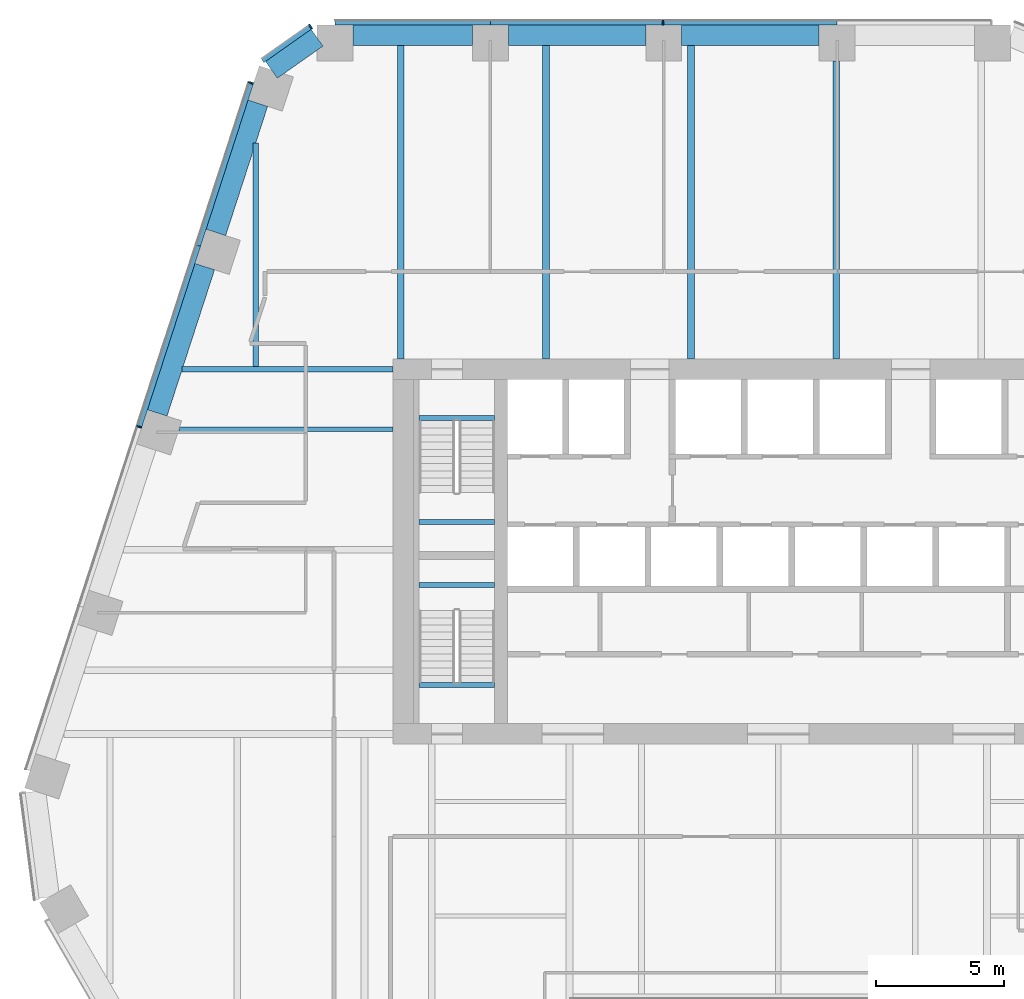
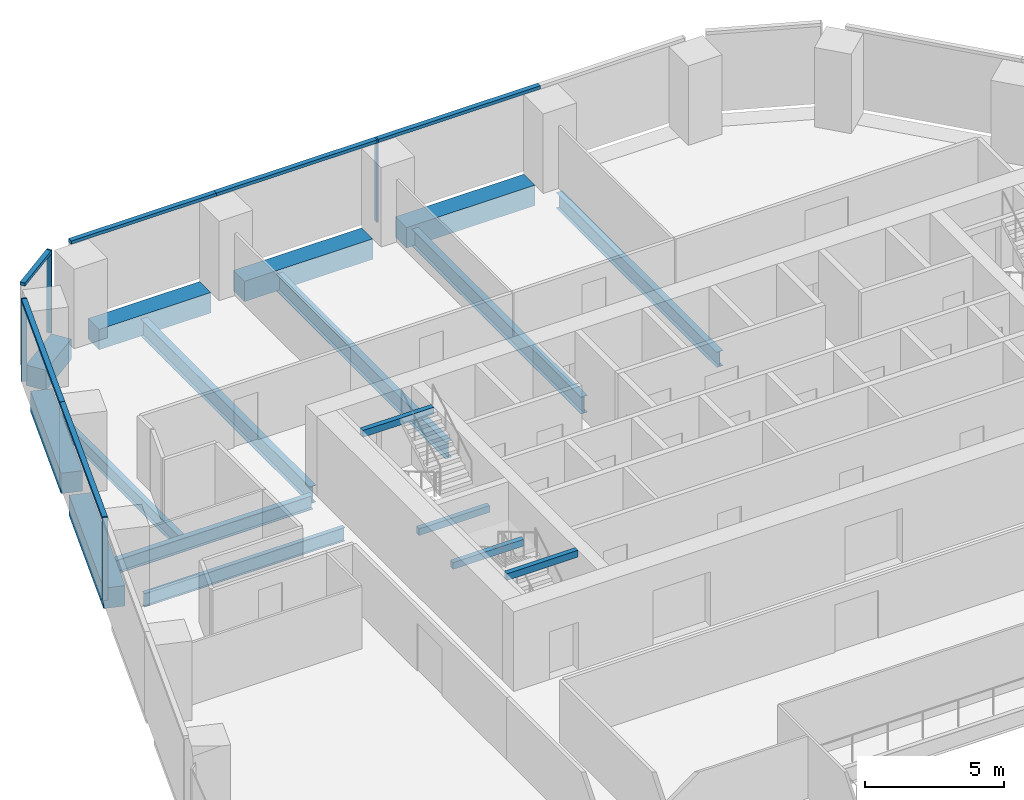
# One storey, part 7 of 16: 17 beams, 10 members, 3 elements without a shape of their own.
"""IFC4 building model written with IfcOpenShell, lengths in metres."""

import ifcopenshell
import ifcopenshell.guid

model = None  # the IFC model being written
_history = None  # IfcOwnerHistory: only IFC2X3 demands one
_inside = {}  # id of a spatial element -> (the spatial element, [elements in it])
_under = {}  # id of a project, library or spatial element -> (it, [spatial elements below it])
_declared = {}  # id of a project -> (the project, [libraries it declares])
_typed = {}  # id of a type object -> (the type object, [elements of that type])
_made_of = {}  # id of a material, layer set ... -> (it, [elements and type objects made of it])


def new_model(schema):
    """Start an empty IFC model of exactly this schema.

    Asked for "IFC4X3", IfcOpenShell would pick the latest addendum, in which some entities
    have other attributes; the version numbers below select the first issue.
    IFC2X3 requires an IfcOwnerHistory on every rooted entity: one is made here for all.
    """
    global model, _history
    if schema == "IFC4X3":
        model = ifcopenshell.file(schema_version=(4, 3, 0, 0))
    else:
        model = ifcopenshell.file(schema=schema)
    _inside.clear()
    _under.clear()
    _declared.clear()
    _typed.clear()
    _made_of.clear()
    _history = None
    if model.schema == "IFC2X3":
        org = make("IfcOrganization", Name="unknown")
        user = make(
            "IfcPersonAndOrganization",
            ThePerson=make("IfcPerson", FamilyName="unknown"),
            TheOrganization=org,
        )
        app = make(
            "IfcApplication",
            ApplicationDeveloper=org,
            Version="unknown",
            ApplicationFullName="unknown",
            ApplicationIdentifier="unknown",
        )
        _history = make(
            "IfcOwnerHistory",
            OwningUser=user,
            OwningApplication=app,
            ChangeAction="ADDED",
            CreationDate=0,
        )
    return model


def make(cls, **values):
    """One entity of the class cls with the attributes given. An attribute that is None is left unset."""
    return model.create_entity(
        cls, **{name: value for name, value in values.items() if value is not None}
    )


def rooted(cls, **values):
    """An entity with a GlobalId (a new one), such as an element, a storey or a relation."""
    return make(cls, GlobalId=ifcopenshell.guid.new(), OwnerHistory=_history, **values)


def si_unit(unit_type, name, prefix=None):
    """IfcSIUnit, for example si_unit("LENGTHUNIT", "METRE", prefix="MILLI")."""
    return make("IfcSIUnit", UnitType=unit_type, Prefix=prefix, Name=name)


def assignment(units):
    """IfcUnitAssignment: the units of a project."""
    return None if units is None else make("IfcUnitAssignment", Units=units)


def point(xyz):
    """IfcCartesianPoint."""
    return None if xyz is None else make("IfcCartesianPoint", Coordinates=xyz)


def direction(xyz):
    """IfcDirection."""
    return None if xyz is None else make("IfcDirection", DirectionRatios=xyz)


def frame(location, z_axis=None, x_axis=None):
    """IfcAxis2Placement3D, a coordinate frame: its origin and axes. An axis left out is left unset."""
    return make(
        "IfcAxis2Placement3D",
        Location=point(location),
        Axis=direction(z_axis),
        RefDirection=direction(x_axis),
    )


def frame_2d(location, x_axis=None):
    """IfcAxis2Placement2D, a coordinate frame in the plane: its origin and x axis."""
    return make(
        "IfcAxis2Placement2D", Location=point(location), RefDirection=direction(x_axis)
    )


def origin():
    """The frame at (0, 0, 0) with its axes left unset."""
    return frame((0.0, 0.0, 0.0))


def origin_2d():
    """The frame at (0, 0) in the plane with its x axis left unset."""
    return frame_2d((0.0, 0.0))


def place(relative_to, where):
    """IfcLocalPlacement: puts the frame where relative to a parent placement (None: the world)."""
    return make(
        "IfcLocalPlacement", PlacementRelTo=relative_to, RelativePlacement=where
    )


def context(
    kind, dimensions, precision=None, world=None, true_north=None, identifier=None
):
    """IfcGeometricRepresentationContext, for example the 3D "Model" context."""
    return make(
        "IfcGeometricRepresentationContext",
        ContextIdentifier=identifier,
        ContextType=kind,
        CoordinateSpaceDimension=dimensions,
        Precision=precision,
        WorldCoordinateSystem=world,
        TrueNorth=true_north,
    )


def subcontext(parent, identifier, kind, view, scale=None):
    """IfcGeometricRepresentationSubContext, for example "Body" below "Model"."""
    return make(
        "IfcGeometricRepresentationSubContext",
        ContextIdentifier=identifier,
        ContextType=kind,
        ParentContext=parent,
        TargetScale=scale,
        TargetView=view,
    )


def project(units=None, contexts=None):
    """IfcProject with its units and contexts."""
    return rooted(
        "IfcProject",
        Name="project",
        RepresentationContexts=contexts,
        UnitsInContext=assignment(units),
    )


def spatial(cls, under=None, at=None, **own):
    """A site, building, storey or space (cls), placed at a placement, below another one or the project."""
    s = rooted(cls, ObjectPlacement=at, **own)
    if under is not None:
        _under.setdefault(under.id(), (under, []))[1].append(s)
    return s


def profile(cls, at=None, kind="AREA", **sizes):
    """A parametric profile (cls). Its sizes go by their IFC names, for example OverallWidth=200.0."""
    return make(cls, ProfileType=kind, Position=at, **sizes)


def rectangle(**sizes):
    """IfcRectangleProfileDef."""
    return profile("IfcRectangleProfileDef", **sizes)


def i_section(**sizes):
    """IfcIShapeProfileDef."""
    return profile("IfcIShapeProfileDef", **sizes)


def extrude(swept, where, along, depth):
    """IfcExtrudedAreaSolid: the profile swept, set in the frame where, extruded along a direction by depth."""
    return make(
        "IfcExtrudedAreaSolid",
        SweptArea=swept,
        Position=where,
        ExtrudedDirection=direction(along),
        Depth=depth,
    )


def shape(context_of_items, identifier, shape_type, items):
    """IfcShapeRepresentation: the items that make up one representation, for example the "Body"."""
    return make(
        "IfcShapeRepresentation",
        ContextOfItems=context_of_items,
        RepresentationIdentifier=identifier,
        RepresentationType=shape_type,
        Items=items,
    )


def material(Name=None, Category=None):
    """IfcMaterial."""
    return make("IfcMaterial", Name=Name, Category=Category)


def layer(
    of_material, thickness, ventilated=None, Name=None, Category=None, Priority=None
):
    """IfcMaterialLayer: one layer of a wall or slab, of a material (None: an air gap)."""
    return make(
        "IfcMaterialLayer",
        Material=of_material,
        LayerThickness=thickness,
        IsVentilated=ventilated,
        Name=Name,
        Category=Category,
        Priority=Priority,
    )


def layer_set(layers, Name=None):
    """IfcMaterialLayerSet."""
    return make("IfcMaterialLayerSet", MaterialLayers=layers, LayerSetName=Name)


def material_profile(
    of_material, cross_section, Name=None, Category=None, Priority=None
):
    """IfcMaterialProfile: a cross section and its material."""
    return make(
        "IfcMaterialProfile",
        Name=Name,
        Material=of_material,
        Profile=cross_section,
        Priority=Priority,
        Category=Category,
    )


def profile_set(profiles, Name=None, composite=None):
    """IfcMaterialProfileSet."""
    return make(
        "IfcMaterialProfileSet",
        Name=Name,
        MaterialProfiles=profiles,
        CompositeProfile=composite,
    )


def made_of(thing, what):
    """Note that an element or type object is made of a material, layer set ...; save() writes the relation."""
    if what is not None:
        _made_of.setdefault(what.id(), (what, []))[1].append(thing)
    return thing


def type_object(cls, material=None, **own):
    """A type object (cls), such as IfcWallType, which elements share."""
    return made_of(rooted(cls, **own), material)


def element(
    cls,
    number,
    at=None,
    inside=None,
    cuts=None,
    type_object=None,
    material=None,
    context=None,
    identifier="Body",
    shape_type=None,
    held_by="IfcProductDefinitionShape",
    body=None,
    shapes=None,
    **own,
):
    """One element of the class cls, such as IfcWall. Its Tag is "e" and its number.

    at: its placement. inside: the storey or other place that contains it. cuts: it is an
    opening in that element (IfcRelVoidsElement). A single representation is given by context,
    identifier, shape_type and body (its items); several are given by shapes. held_by: the class
    of the entity that holds the representations. save() writes the other relations.
    """
    e = rooted(cls, Tag="e%d" % number, ObjectPlacement=at, **own)
    if body is not None:
        shapes = [shape(context, identifier, shape_type, body)]
    if shapes is not None:
        e.Representation = make(held_by, Representations=shapes)
    if inside is not None:
        _inside.setdefault(inside.id(), (inside, []))[1].append(e)
    if cuts is not None:
        rooted(
            "IfcRelVoidsElement", RelatingBuildingElement=cuts, RelatedOpeningElement=e
        )
    if type_object is not None:
        _typed.setdefault(type_object.id(), (type_object, []))[1].append(e)
    return made_of(e, material)


def aggregate(whole, parts):
    """IfcRelAggregates: a whole, such as a stair, and the parts it consists of."""
    return rooted("IfcRelAggregates", RelatingObject=whole, RelatedObjects=parts)


def save(model, path):
    """Write the relations noted so far, then the file.

    IfcRelAggregates (storeys below a building ...), IfcRelContainedInSpatialStructure (elements
    in a storey), IfcRelDefinesByType, IfcRelAssociatesMaterial and IfcRelDeclares: one each for
    every whole, place, type object, material and project.
    """
    for whole, parts in _under.values():
        aggregate(whole, parts)
    for where, things in _inside.values():
        rooted(
            "IfcRelContainedInSpatialStructure",
            RelatedElements=things,
            RelatingStructure=where,
        )
    for kind, things in _typed.values():
        rooted("IfcRelDefinesByType", RelatedObjects=things, RelatingType=kind)
    for what, things in _made_of.values():
        rooted("IfcRelAssociatesMaterial", RelatedObjects=things, RelatingMaterial=what)
    for by, libraries in _declared.values():
        rooted("IfcRelDeclares", RelatingContext=by, RelatedDefinitions=libraries)
    model.write(path)


model = new_model("IFC4")

# Units and contexts
model_context = context("Model", 3, precision=1e-05, world=origin(), true_north=direction((0.0, 1.0)))
body_context = subcontext(model_context, "Body", "Model", "MODEL_VIEW")
ifc_project = project(units=[si_unit("LENGTHUNIT", "METRE"), si_unit("AREAUNIT", "SQUARE_METRE"), si_unit("VOLUMEUNIT", "CUBIC_METRE"), si_unit("PLANEANGLEUNIT", "RADIAN"), si_unit("MASSUNIT", "GRAM", prefix="KILO")], contexts=[model_context])

# Site, building, storey
site_placement = place(None, origin())
site = spatial("IfcSite", under=ifc_project, at=site_placement, CompositionType="ELEMENT")
building_placement = place(site_placement, origin())
building = spatial("IfcBuilding", under=site, at=building_placement, Name="Isthmus Gate Tower", CompositionType="ELEMENT")
storey_placement = place(building_placement, frame((0.0, 0.0, 155.35009765625)))
storey = spatial("IfcBuildingStorey", under=building, at=storey_placement, Name="L38", CompositionType="ELEMENT", Elevation=155.35009765625)

# Curtain wall, member
ifc_material_1 = material(Name="Aluminium, pale champagne anodised", Category="aluminium")
ifc_layer = layer(ifc_material_1, 0.199951171875)
ifc_layer_set = layer_set([ifc_layer], Name="CW-1 UNITISED CURTAIN WALL 200 DEEP")
curtain_wall_type = type_object("IfcCurtainWallType", Name="CW-1 UNITISED CURTAIN WALL 200 DEEP", PredefinedType="NOTDEFINED", material=ifc_layer_set)
curtain_wall_1_placement = place(storey_placement, origin())
curtain_wall_1 = element("IfcCurtainWall", 1, at=curtain_wall_1_placement, inside=storey, type_object=curtain_wall_type, Name="CW-1 N L38", PredefinedType="NOTDEFINED")
ifc_material_2 = material(Name="Aluminium, pale champagne anodised", Category="aluminium")
ifc_material_profile_1 = material_profile(ifc_material_2, rectangle(XDim=0.06005859375, YDim=0.199951171875, at=origin_2d()), Name="60x200")
ifc_profile_set_1 = profile_set([ifc_material_profile_1], Name="Aluminium, pale champagne anodised")
member_type_1 = type_object("IfcMemberType", Name="CW-1 MULLION 60 X 200", PredefinedType="MULLION", material=ifc_profile_set_1)
member_1_placement = place(storey_placement, frame((-4.49169921875, 28.10009765625, 0.0), z_axis=(0.0, 0.0, 1.0), x_axis=(-1.0, 0.0, 0.0)))
member_1 = element("IfcMember", 2, at=member_1_placement, type_object=member_type_1, Name="CW-1 mullion", PredefinedType="MULLION", context=body_context, shape_type="SweptSolid", body=[
    extrude(rectangle(XDim=0.06005859375, YDim=0.199951171875, at=origin_2d()), origin(), (0.0, 0.0, 1.0), 3.64990234375),
])

curtain_wall_2_placement = place(storey_placement, origin())
curtain_wall_2 = element("IfcCurtainWall", 3, at=curtain_wall_2_placement, inside=storey, type_object=curtain_wall_type, Name="CW-1 N-NW L38", PredefinedType="NOTDEFINED")
member_2_placement = place(storey_placement, frame((-18.216552734375, 27.943115234375, 0.0), z_axis=(0.0, 0.0, 1.0), x_axis=(-0.81785959165, -0.57541783805, 0.0)))
member_2 = element("IfcMember", 4, at=member_2_placement, type_object=member_type_1, Name="CW-1 mullion", PredefinedType="MULLION", context=body_context, shape_type="SweptSolid", body=[
    extrude(rectangle(XDim=0.06005859375, YDim=0.199951171875, at=origin_2d()), origin(), (0.0, 0.0, 1.0), 3.64990234375),
])

# Curtain wall, members
curtain_wall_3_placement = place(storey_placement, origin())
curtain_wall_3 = element("IfcCurtainWall", 5, at=curtain_wall_3_placement, inside=storey, type_object=curtain_wall_type, Name="CW-1 NW L38", PredefinedType="NOTDEFINED")
member_3_placement = place(storey_placement, frame((-20.53564453125, 25.75146484375, 0.0), z_axis=(0.0, 0.0, 1.0), x_axis=(-0.309016994375, -0.951056516295, 0.0)))
member_3 = element("IfcMember", 6, at=member_3_placement, type_object=member_type_1, Name="CW-1 mullion", PredefinedType="MULLION", context=body_context, shape_type="SweptSolid", body=[
    extrude(rectangle(XDim=0.06005859375, YDim=0.199951171875, at=origin_2d()), origin(), (0.0, 0.0, 1.0), 3.64990234375),
])
member_4_placement = place(storey_placement, frame((-24.886962890625, 12.359130859375, 0.0), z_axis=(0.0, 0.0, 1.0), x_axis=(-0.309016994375, -0.951056516295, 0.0)))
member_4 = element("IfcMember", 7, at=member_4_placement, type_object=member_type_1, Name="CW-1 mullion", PredefinedType="MULLION", context=body_context, shape_type="SweptSolid", body=[
    extrude(rectangle(XDim=0.06005859375, YDim=0.199951171875, at=origin_2d()), origin(), (0.0, 0.0, 1.0), 3.64990234375),
])

# Member
ifc_material_3 = material(Name="Aluminium, pale champagne anodised", Category="aluminium")
ifc_material_profile_2 = material_profile(ifc_material_3, rectangle(XDim=0.199951171875, YDim=0.139892578125, at=origin_2d()), Name="200x140")
ifc_profile_set_2 = profile_set([ifc_material_profile_2], Name="Aluminium, pale champagne anodised")
member_type_2 = type_object("IfcMemberType", Name="CW-1 TRANSOM 200 X 140", PredefinedType="USERDEFINED", material=ifc_profile_set_2)
member_5_placement = place(storey_placement, frame((2.288330078125, 28.10009765625, 3.579833984375), z_axis=(-1.0, 0.0, 0.0), x_axis=(0.0, -1.0, 0.0)))
member_5 = element("IfcMember", 8, at=member_5_placement, type_object=member_type_2, Name="CW-1 transom", ObjectType="TRANSOM", PredefinedType="USERDEFINED", context=body_context, shape_type="SweptSolid", body=[
    extrude(rectangle(XDim=0.199951171875, YDim=0.139892578125, at=origin_2d()), origin(), (0.0, 0.0, 1.0), 6.75),
])

member_6_placement = place(storey_placement, frame((-4.521728515625, 28.10009765625, 3.579833984375), z_axis=(-1.0, 0.0, 0.0), x_axis=(0.0, -1.0, 0.0)))
member_6 = element("IfcMember", 9, at=member_6_placement, type_object=member_type_2, Name="CW-1 transom", ObjectType="TRANSOM", PredefinedType="USERDEFINED", context=body_context, shape_type="SweptSolid", body=[
    extrude(rectangle(XDim=0.199951171875, YDim=0.139892578125, at=origin_2d()), origin(), (0.0, 0.0, 1.0), 6.690185546875),
])

member_7_placement = place(storey_placement, frame((-11.2119140625, 28.10009765625, 3.579833984375), z_axis=(-1.0, 0.0, 0.0), x_axis=(0.0, -1.0, 0.0)))
member_7 = element("IfcMember", 10, at=member_7_placement, type_object=member_type_2, Name="CW-1 transom", ObjectType="TRANSOM", PredefinedType="USERDEFINED", context=body_context, shape_type="SweptSolid", body=[
    extrude(rectangle(XDim=0.199951171875, YDim=0.139892578125, at=origin_2d()), origin(), (0.0, 0.0, 1.0), 6.050048828125),
])

aggregate(curtain_wall_1, [member_5, member_1, member_6, member_7])

member_8_placement = place(storey_placement, frame((-18.2412109375, 27.92578125, 3.579833984375), z_axis=(-0.817868595604, -0.575405040233, 0.0), x_axis=(0.575405040233, -0.817868595604, 0.0)))
member_8 = element("IfcMember", 11, at=member_8_placement, type_object=member_type_2, Name="CW-1 transom", ObjectType="TRANSOM", PredefinedType="USERDEFINED", context=body_context, shape_type="SweptSolid", body=[
    extrude(rectangle(XDim=0.199951171875, YDim=0.139892578125, at=origin_2d()), origin(), (0.0, 0.0, 1.0), 2.258544921875),
])

aggregate(curtain_wall_2, [member_2, member_8])

member_9_placement = place(storey_placement, frame((-20.544921875, 25.72314453125, 3.579833984375), z_axis=(-0.30898366881, -0.951067343782, 0.0), x_axis=(0.951067343782, -0.30898366881, 0.0)))
member_9 = element("IfcMember", 12, at=member_9_placement, type_object=member_type_2, Name="CW-1 transom", ObjectType="TRANSOM", PredefinedType="USERDEFINED", context=body_context, shape_type="SweptSolid", body=[
    extrude(rectangle(XDim=0.199951171875, YDim=0.139892578125, at=origin_2d()), origin(), (0.0, 0.0, 1.0), 6.630859375),
])

member_10_placement = place(storey_placement, frame((-22.59375, 19.416748046875, 3.579833984375), z_axis=(-0.309024076379, -0.951054215183, 0.0), x_axis=(0.951054215183, -0.309024076379, 0.0)))
member_10 = element("IfcMember", 13, at=member_10_placement, type_object=member_type_2, Name="CW-1 transom", ObjectType="TRANSOM", PredefinedType="USERDEFINED", context=body_context, shape_type="SweptSolid", body=[
    extrude(rectangle(XDim=0.199951171875, YDim=0.139892578125, at=origin_2d()), origin(), (0.0, 0.0, 1.0), 7.390869140625),
])

aggregate(curtain_wall_3, [member_3, member_9, member_10, member_4])

# Beams
ifc_material_4 = material(Name="Concrete f'c 60 MPa", Category="concrete")
ifc_material_profile_3 = material_profile(ifc_material_4, rectangle(XDim=0.800048828125, YDim=0.89990234375, at=origin_2d()), Name="RC 800X900")
ifc_profile_set_3 = profile_set([ifc_material_profile_3], Name="Concrete f'c 60 MPa")
beam_type_1 = type_object("IfcBeamType", Name="RC SPANDREL 800 X 900", PredefinedType="SPANDREL", material=ifc_profile_set_3)
beam_1_placement = place(storey_placement, frame((-24.185791015625, 12.89892578125, -0.4501953125), z_axis=(0.308992998998, 0.951064312531, 0.0), x_axis=(-0.951064312531, 0.308992998998, 0.0)))
element("IfcBeam", 14, at=beam_1_placement, inside=storey, type_object=beam_type_1, Name="str-spandrel-L38-23", PredefinedType="SPANDREL", context=body_context, shape_type="SweptSolid", body=[
    extrude(rectangle(XDim=0.800048828125, YDim=0.89990234375, at=origin_2d()), origin(), (0.0, 0.0, 1.0), 5.99072265625),
])
beam_2_placement = place(storey_placement, frame((-21.902099609375, 19.927978515625, -0.4501953125), z_axis=(0.309020339202, 0.951055429489, 0.0), x_axis=(-0.951055429489, 0.309020339202, 0.0)))
element("IfcBeam", 15, at=beam_2_placement, inside=storey, type_object=beam_type_1, Name="str-spandrel-L38-24", PredefinedType="SPANDREL", context=body_context, shape_type="SweptSolid", body=[
    extrude(rectangle(XDim=0.800048828125, YDim=0.89990234375, at=origin_2d()), origin(), (0.0, 0.0, 1.0), 5.291015625),
])
beam_3_placement = place(storey_placement, frame((-19.7392578125, 26.260498046875, -0.4501953125), z_axis=(0.817857331203, 0.575421050882, 0.0), x_axis=(-0.575421050882, 0.817857331203, 0.0)))
element("IfcBeam", 16, at=beam_3_placement, inside=storey, type_object=beam_type_1, Name="str-spandrel-L38-25", PredefinedType="SPANDREL", context=body_context, shape_type="SweptSolid", body=[
    extrude(rectangle(XDim=0.800048828125, YDim=0.89990234375, at=origin_2d()), origin(), (0.0, 0.0, 1.0), 2.173095703125),
])
beam_4_placement = place(storey_placement, frame((-16.56201171875, 27.60009765625, -0.4501953125), z_axis=(1.0, 0.0, 0.0), x_axis=(0.0, 1.0, 0.0)))
element("IfcBeam", 17, at=beam_4_placement, inside=storey, type_object=beam_type_1, Name="str-spandrel-L38-26", PredefinedType="SPANDREL", context=body_context, shape_type="SweptSolid", body=[
    extrude(rectangle(XDim=0.800048828125, YDim=0.89990234375, at=origin_2d()), origin(), (0.0, 0.0, 1.0), 4.650146484375),
])
for number, where, z_axis, x_axis, name in (
    (18, (-10.51171875, 27.60009765625, -0.4501953125), (1.0, 0.0, 0.0), (0.0, 1.0, 0.0), "str-spandrel-L38-27"),
    (19, (-3.76171875, 27.60009765625, -0.4501953125), (1.0, 0.0, 0.0), (0.0, 1.0, 0.0), "str-spandrel-L38-28"),
):
    element("IfcBeam", number, at=place(storey_placement, frame(where, z_axis=z_axis, x_axis=x_axis)), inside=storey, type_object=beam_type_1, Name=name, PredefinedType="SPANDREL", context=body_context, shape_type="SweptSolid", body=[
        extrude(rectangle(XDim=0.800048828125, YDim=0.89990234375, at=origin_2d()), origin(), (0.0, 0.0, 1.0), 5.35009765625),
    ])
ifc_material_5 = material(Name="Concrete f'c 40 MPa", Category="concrete")
ifc_material_profile_4 = material_profile(ifc_material_5, rectangle(XDim=0.199951171875, YDim=0.300048828125, at=origin_2d()), Name="STAIR LANDING BEAM RC 200 X 300")
ifc_profile_set_4 = profile_set([ifc_material_profile_4], Name="Concrete f'c 40 MPa")
beam_type_2 = type_object("IfcBeamType", Name="STAIR LANDING BEAM RC 200 X 300", PredefinedType="BEAM", material=ifc_profile_set_4)
for number, where, z_axis, x_axis, name in (
    (20, (-14.0, 8.64990234375, 1.474853515625), (1.0, 0.0, 0.0), (0.0, 1.0, 0.0), "L38 ST1 landing beam 1"),
    (21, (-14.0, 12.7001953125, 3.349853515625), (1.0, 0.0, 0.0), (0.0, 1.0, 0.0), "L38 ST1 floor-edge seat beam"),
    (22, (-14.0, 6.199951171875, 1.474853515625), (1.0, 0.0, 0.0), (0.0, 1.0, 0.0), "L38 ST7 landing beam 1"),
    (23, (-14.0, 2.2998046875, 3.349853515625), (1.0, 0.0, 0.0), (0.0, 1.0, 0.0), "L38 ST7 floor-edge seat beam"),
):
    element("IfcBeam", number, at=place(storey_placement, frame(where, z_axis=z_axis, x_axis=x_axis)), inside=storey, type_object=beam_type_2, Name=name, PredefinedType="BEAM", context=body_context, shape_type="SweptSolid", body=[
        extrude(rectangle(XDim=0.199951171875, YDim=0.300048828125, at=origin_2d()), origin(), (0.0, 0.0, 1.0), 2.949951171875),
    ])
ifc_material_6 = material(Name="Structural steel ASTM A992 Gr 50", Category="steel")
ifc_material_profile_5 = material_profile(ifc_material_6, i_section(OverallWidth=0.177734375, OverallDepth=0.60009765625, WebThickness=0.009521484375, FlangeThickness=0.0126953125, at=origin_2d()), Name="W24X55")
ifc_profile_set_5 = profile_set([ifc_material_profile_5], Name="Structural steel ASTM A992 Gr 50")
beam_type_3 = type_object("IfcBeamType", Name="STEEL FLOOR BEAM W24X55", PredefinedType="JOIST", material=ifc_profile_set_5)
beam_5_placement = place(storey_placement, frame((-23.343505859375, 12.25537109375, -0.4501953125), z_axis=(1.0, 0.0, 0.0), x_axis=(0.0, 1.0, 0.0)))
element("IfcBeam", 24, at=beam_5_placement, inside=storey, type_object=beam_type_3, Name="str-beam-L38-01-02", PredefinedType="JOIST", context=body_context, shape_type="SweptSolid", body=[
    extrude(i_section(OverallWidth=0.177734375, OverallDepth=0.60009765625, WebThickness=0.009521484375, FlangeThickness=0.0126953125, at=origin_2d()), origin(), (0.0, 0.0, 1.0), 8.343505859375),
])
ifc_material_7 = material(Name="Structural steel ASTM A992 Gr 50", Category="steel")
ifc_material_profile_6 = material_profile(ifc_material_7, i_section(OverallWidth=0.228515625, OverallDepth=0.603271484375, WebThickness=0.010986328125, FlangeThickness=0.014404296875, at=origin_2d()), Name="W24X68")
ifc_profile_set_6 = profile_set([ifc_material_profile_6], Name="Structural steel ASTM A992 Gr 50")
beam_type_4 = type_object("IfcBeamType", Name="STEEL FLOOR BEAM W24X68", PredefinedType="JOIST", material=ifc_profile_set_6)
beam_6_placement = place(storey_placement, frame((-20.35009765625, 14.71435546875, -0.45166015625), z_axis=(0.0, 1.0, 0.0), x_axis=(-1.0, 0.0, 0.0)))
element("IfcBeam", 25, at=beam_6_placement, inside=storey, type_object=beam_type_4, Name="str-beam-L38-05-00", PredefinedType="JOIST", context=body_context, shape_type="SweptSolid", body=[
    extrude(i_section(OverallWidth=0.228515625, OverallDepth=0.603271484375, WebThickness=0.010986328125, FlangeThickness=0.014404296875, at=origin_2d()), origin(), (0.0, 0.0, 1.0), 8.6953125),
])
ifc_material_8 = material(Name="Structural steel ASTM A992 Gr 50", Category="steel")
ifc_material_profile_7 = material_profile(ifc_material_8, i_section(OverallWidth=0.25390625, OverallDepth=0.679443359375, WebThickness=0.010986328125, FlangeThickness=0.015869140625, at=origin_2d()), Name="W27X84")
ifc_profile_set_7 = profile_set([ifc_material_profile_7], Name="Structural steel ASTM A992 Gr 50")
beam_type_5 = type_object("IfcBeamType", Name="STEEL FLOOR BEAM W27X84", PredefinedType="JOIST", material=ifc_profile_set_7)
beam_7_placement = place(storey_placement, frame((2.25244140625, 15.0, -0.48974609375), z_axis=(0.0, 1.0, 0.0), x_axis=(-1.0, 0.0, 0.0)))
element("IfcBeam", 26, at=beam_7_placement, inside=storey, type_object=beam_type_5, Name="str-beam-L38-05-04", PredefinedType="JOIST", context=body_context, shape_type="SweptSolid", body=[
    extrude(i_section(OverallWidth=0.25390625, OverallDepth=0.679443359375, WebThickness=0.010986328125, FlangeThickness=0.015869140625, at=origin_2d()), origin(), (0.0, 0.0, 1.0), 11.60009765625),
])
ifc_material_9 = material(Name="Structural steel ASTM A992 Gr 50", Category="steel")
ifc_material_profile_8 = material_profile(ifc_material_9, i_section(OverallWidth=0.263427734375, OverallDepth=0.749267578125, WebThickness=0.0126953125, FlangeThickness=0.015869140625, at=origin_2d()), Name="W30X90")
ifc_profile_set_8 = profile_set([ifc_material_profile_8], Name="Structural steel ASTM A992 Gr 50")
beam_type_6 = type_object("IfcBeamType", Name="STEEL FLOOR BEAM W30X90", PredefinedType="JOIST", material=ifc_profile_set_8)
for number, where, z_axis, x_axis, name in (
    (27, (-14.699462890625, 15.0, -0.524658203125), (0.0, 1.0, 0.0), (-1.0, 0.0, 0.0), "str-beam-L38-05-01"),
    (28, (-9.048828125, 15.0, -0.524658203125), (0.0, 1.0, 0.0), (-1.0, 0.0, 0.0), "str-beam-L38-05-02"),
    (29, (-3.398193359375, 15.0, -0.524658203125), (0.0, 1.0, 0.0), (-1.0, 0.0, 0.0), "str-beam-L38-05-03"),
):
    element("IfcBeam", number, at=place(storey_placement, frame(where, z_axis=z_axis, x_axis=x_axis)), inside=storey, type_object=beam_type_6, Name=name, PredefinedType="JOIST", context=body_context, shape_type="SweptSolid", body=[
        extrude(i_section(OverallWidth=0.263427734375, OverallDepth=0.749267578125, WebThickness=0.0126953125, FlangeThickness=0.015869140625, at=origin_2d()), origin(), (0.0, 0.0, 1.0), 12.199951171875),
    ])
ifc_material_10 = material(Name="Structural steel ASTM A992 Gr 50", Category="steel")
ifc_material_profile_9 = material_profile(ifc_material_10, i_section(OverallWidth=0.228515625, OverallDepth=0.6064453125, WebThickness=0.010986328125, FlangeThickness=0.017578125, at=origin_2d()), Name="W24X76")
ifc_profile_set_9 = profile_set([ifc_material_profile_9], Name="Structural steel ASTM A992 Gr 50")
beam_type_7 = type_object("IfcBeamType", Name="STEEL GIRDER W24X76", PredefinedType="BEAM", material=ifc_profile_set_9)
beam_8_placement = place(storey_placement, frame((-15.0, 14.60009765625, -0.453369140625), z_axis=(-1.0, 0.0, 0.0), x_axis=(0.0, -1.0, 0.0)))
element("IfcBeam", 30, at=beam_8_placement, inside=storey, type_object=beam_type_7, Name="str-girder-L38-15", PredefinedType="BEAM", context=body_context, shape_type="SweptSolid", body=[
    extrude(i_section(OverallWidth=0.228515625, OverallDepth=0.6064453125, WebThickness=0.010986328125, FlangeThickness=0.017578125, at=origin_2d()), origin(), (0.0, 0.0, 1.0), 8.212646484375),
])

save(model, "model.ifc")
